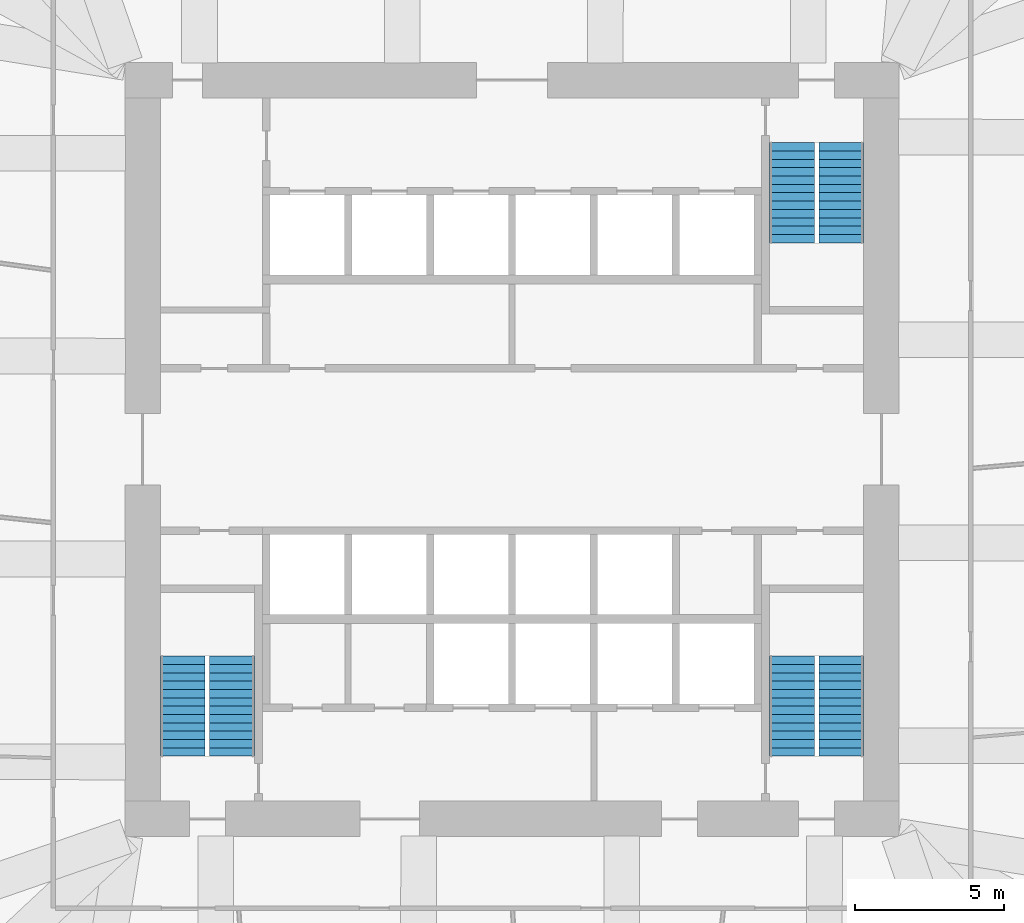
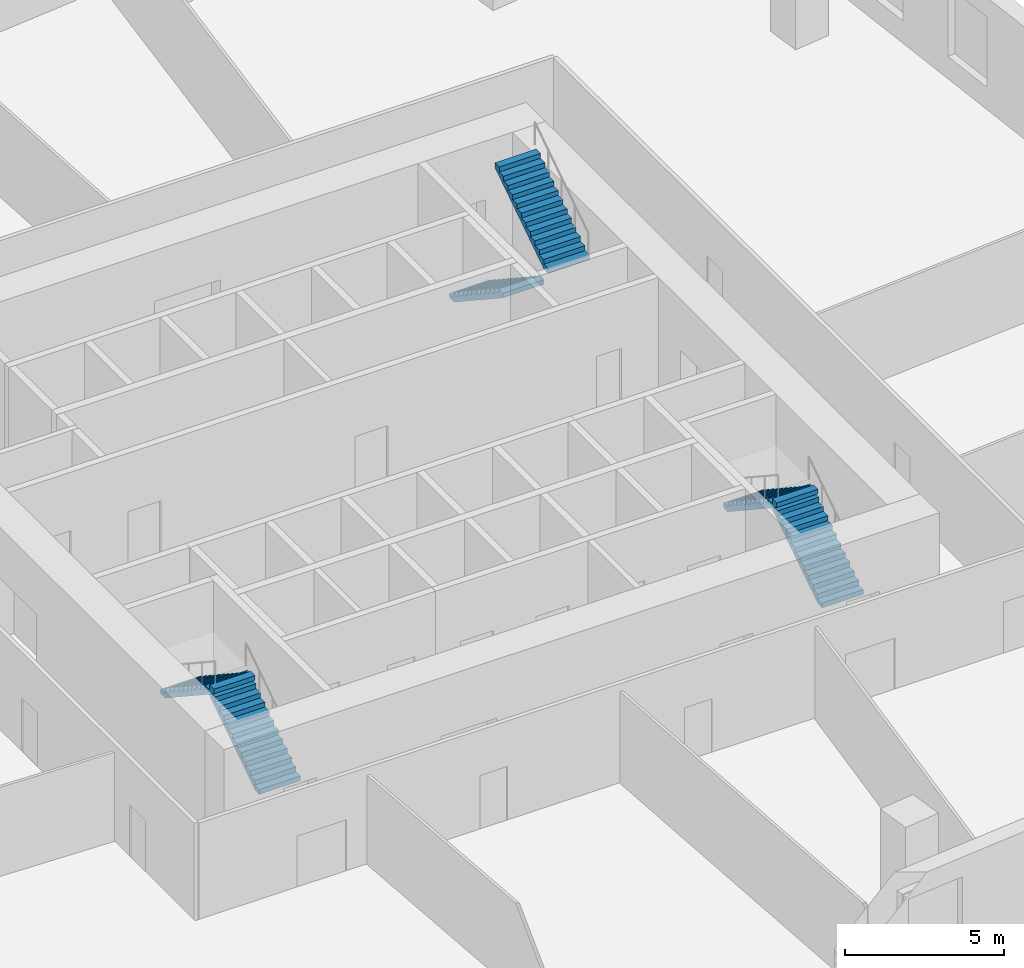
# One storey, part 8 of 10: 6 stair flights, 3 elements without a shape of their own.
"""IFC4 building model written with IfcOpenShell, lengths in metres."""

from ifc_helpers import new_model, si_unit, direction, frame, origin, place, context, subcontext, project, spatial, polyline, outline, extrude, material, type_object, element, aggregate, save


model = new_model("IFC4")

# Units and contexts
model_context = context("Model", 3, precision=1e-05, world=origin(), true_north=direction((0.0, 1.0)))
body_context = subcontext(model_context, "Body", "Model", "MODEL_VIEW")
ifc_project = project(units=[si_unit("LENGTHUNIT", "METRE"), si_unit("AREAUNIT", "SQUARE_METRE"), si_unit("VOLUMEUNIT", "CUBIC_METRE"), si_unit("PLANEANGLEUNIT", "RADIAN"), si_unit("MASSUNIT", "GRAM", prefix="KILO")], contexts=[model_context])

# Site, building, storey
site_placement = place(None, origin())
site = spatial("IfcSite", under=ifc_project, at=site_placement, CompositionType="ELEMENT")
building_placement = place(site_placement, origin())
building = spatial("IfcBuilding", under=site, at=building_placement, Name="Dilmun Exchange Tower", CompositionType="ELEMENT")
storey_placement = place(building_placement, frame((0.0, 0.0, 46.5)))
storey = spatial("IfcBuildingStorey", under=building, at=storey_placement, Name="L10", CompositionType="ELEMENT", Elevation=46.5)

# Stair, stair flights
ifc_material = material(Name="Concrete C40/50", Category="concrete")
stair_type = type_object("IfcStairType", Name="Exit stair 1500 half-turn", PredefinedType="HALF_TURN_STAIR", material=ifc_material)
stair_1_placement = place(storey_placement, origin())
stair_1 = element("IfcStair", 1, at=stair_1_placement, inside=storey, type_object=stair_type, Name="L10 Protected exit stair ST1", PredefinedType="HALF_TURN_STAIR")
stair_flight_type = type_object("IfcStairFlightType", Name="Exit stair flight 1500", PredefinedType="STRAIGHT", material=ifc_material)
stair_flight_1_placement = place(storey_placement, frame((9.39990234375, 10.300048828125, 0.0), z_axis=(0.0, 0.0, 1.0), x_axis=(0.0, -1.0, 0.0)))
stair_flight_1 = element("IfcStairFlight", 2, at=stair_flight_1_placement, type_object=stair_flight_type, Name="ST1 flight 1", NumberOfRisers=13, NumberOfTreads=12, PredefinedType="STRAIGHT", RiserHeight=0.184615385, TreadLength=0.28, context=body_context, shape_type="SweptSolid", body=[
    extrude(outline(polyline([(0.0, 0.0), (0.0, 0.1845703125), (0.280029296875, 0.1845703125), (0.280029296875, 0.369140625), (0.56005859375, 0.369140625), (0.56005859375, 0.553955078125), (0.840087890625, 0.553955078125), (0.840087890625, 0.738525390625), (1.1201171875, 0.738525390625), (1.1201171875, 0.923095703125), (1.39990234375, 0.923095703125), (1.39990234375, 1.107666015625), (1.679931640625, 1.107666015625), (1.679931640625, 1.292236328125), (1.9599609375, 1.292236328125), (1.9599609375, 1.476806640625), (2.239990234375, 1.476806640625), (2.239990234375, 1.66162109375), (2.52001953125, 1.66162109375), (2.52001953125, 1.84619140625), (2.800048828125, 1.84619140625), (2.800048828125, 2.03076171875), (3.080078125, 2.03076171875), (3.080078125, 2.21533203125), (3.360107421875, 2.21533203125), (3.360107421875, 2.39990234375), (3.360107421875, 2.035888671875), (0.272216796875, 0.0), (0.0, 0.0)])), frame((0.0, 0.75, 0.0), z_axis=(0.0, -1.0, 0.0), x_axis=(1.0, 0.0, 0.0)), (0.0, 0.0, 1.0), 1.5),
])
stair_flight_2_placement = place(storey_placement, frame((11.050048828125, 6.93994140625, 2.39990234375), z_axis=(0.0, 0.0, 1.0), x_axis=(0.0, 1.0, 0.0)))
stair_flight_2 = element("IfcStairFlight", 3, at=stair_flight_2_placement, type_object=stair_flight_type, Name="ST1 flight 2", NumberOfRisers=13, NumberOfTreads=12, PredefinedType="STRAIGHT", RiserHeight=0.184615385, TreadLength=0.28, context=body_context, shape_type="SweptSolid", body=[
    extrude(outline(polyline([(0.0, 0.0), (0.0, 0.1845703125), (0.280029296875, 0.1845703125), (0.280029296875, 0.369140625), (0.56005859375, 0.369140625), (0.56005859375, 0.553955078125), (0.840087890625, 0.553955078125), (0.840087890625, 0.738525390625), (1.1201171875, 0.738525390625), (1.1201171875, 0.923095703125), (1.39990234375, 0.923095703125), (1.39990234375, 1.107666015625), (1.679931640625, 1.107666015625), (1.679931640625, 1.292236328125), (1.9599609375, 1.292236328125), (1.9599609375, 1.476806640625), (2.239990234375, 1.476806640625), (2.239990234375, 1.66162109375), (2.52001953125, 1.66162109375), (2.52001953125, 1.84619140625), (2.800048828125, 1.84619140625), (2.800048828125, 2.03076171875), (3.080078125, 2.03076171875), (3.080078125, 2.21533203125), (3.360107421875, 2.21533203125), (3.360107421875, 2.39990234375), (3.360107421875, 2.035888671875), (0.272216796875, 0.0), (0.0, 0.0)])), frame((0.0, 0.75, 0.0), z_axis=(0.0, -1.0, 0.0), x_axis=(1.0, 0.0, 0.0)), (0.0, 0.0, 1.0), 1.5),
])
aggregate(stair_1, [stair_flight_1, stair_flight_2])

stair_2_placement = place(storey_placement, origin())
stair_2 = element("IfcStair", 4, at=stair_2_placement, inside=storey, type_object=stair_type, Name="L10 Protected exit stair ST2", PredefinedType="HALF_TURN_STAIR")
stair_flight_3_placement = place(storey_placement, frame((-9.39990234375, -10.300048828125, 0.0), z_axis=(0.0, 0.0, 1.0), x_axis=(0.0, 1.0, 0.0)))
stair_flight_3 = element("IfcStairFlight", 5, at=stair_flight_3_placement, type_object=stair_flight_type, Name="ST2 flight 1", NumberOfRisers=13, NumberOfTreads=12, PredefinedType="STRAIGHT", RiserHeight=0.184615385, TreadLength=0.28, context=body_context, shape_type="SweptSolid", body=[
    extrude(outline(polyline([(0.0, 0.0), (0.0, 0.1845703125), (0.280029296875, 0.1845703125), (0.280029296875, 0.369140625), (0.56005859375, 0.369140625), (0.56005859375, 0.553955078125), (0.840087890625, 0.553955078125), (0.840087890625, 0.738525390625), (1.1201171875, 0.738525390625), (1.1201171875, 0.923095703125), (1.39990234375, 0.923095703125), (1.39990234375, 1.107666015625), (1.679931640625, 1.107666015625), (1.679931640625, 1.292236328125), (1.9599609375, 1.292236328125), (1.9599609375, 1.476806640625), (2.239990234375, 1.476806640625), (2.239990234375, 1.66162109375), (2.52001953125, 1.66162109375), (2.52001953125, 1.84619140625), (2.800048828125, 1.84619140625), (2.800048828125, 2.03076171875), (3.080078125, 2.03076171875), (3.080078125, 2.21533203125), (3.360107421875, 2.21533203125), (3.360107421875, 2.39990234375), (3.360107421875, 2.035888671875), (0.272216796875, 0.0), (0.0, 0.0)])), frame((0.0, 0.75, 0.0), z_axis=(0.0, -1.0, 0.0), x_axis=(1.0, 0.0, 0.0)), (0.0, 0.0, 1.0), 1.5),
])
stair_flight_4_placement = place(storey_placement, frame((-11.050048828125, -6.93994140625, 2.39990234375), z_axis=(0.0, 0.0, 1.0), x_axis=(0.0, -1.0, 0.0)))
stair_flight_4 = element("IfcStairFlight", 6, at=stair_flight_4_placement, type_object=stair_flight_type, Name="ST2 flight 2", NumberOfRisers=13, NumberOfTreads=12, PredefinedType="STRAIGHT", RiserHeight=0.184615385, TreadLength=0.28, context=body_context, shape_type="SweptSolid", body=[
    extrude(outline(polyline([(0.0, 0.0), (0.0, 0.1845703125), (0.280029296875, 0.1845703125), (0.280029296875, 0.369140625), (0.56005859375, 0.369140625), (0.56005859375, 0.553955078125), (0.840087890625, 0.553955078125), (0.840087890625, 0.738525390625), (1.1201171875, 0.738525390625), (1.1201171875, 0.923095703125), (1.39990234375, 0.923095703125), (1.39990234375, 1.107666015625), (1.679931640625, 1.107666015625), (1.679931640625, 1.292236328125), (1.9599609375, 1.292236328125), (1.9599609375, 1.476806640625), (2.239990234375, 1.476806640625), (2.239990234375, 1.66162109375), (2.52001953125, 1.66162109375), (2.52001953125, 1.84619140625), (2.800048828125, 1.84619140625), (2.800048828125, 2.03076171875), (3.080078125, 2.03076171875), (3.080078125, 2.21533203125), (3.360107421875, 2.21533203125), (3.360107421875, 2.39990234375), (3.360107421875, 2.035888671875), (0.272216796875, 0.0), (0.0, 0.0)])), frame((0.0, 0.75, 0.0), z_axis=(0.0, -1.0, 0.0), x_axis=(1.0, 0.0, 0.0)), (0.0, 0.0, 1.0), 1.5),
])
aggregate(stair_2, [stair_flight_3, stair_flight_4])

stair_3_placement = place(storey_placement, origin())
stair_3 = element("IfcStair", 7, at=stair_3_placement, inside=storey, type_object=stair_type, Name="L10 Protected exit stair ST3", PredefinedType="HALF_TURN_STAIR")
stair_flight_5_placement = place(storey_placement, frame((11.050048828125, -10.300048828125, 0.0), z_axis=(0.0, 0.0, 1.0), x_axis=(0.0, 1.0, 0.0)))
stair_flight_5 = element("IfcStairFlight", 8, at=stair_flight_5_placement, type_object=stair_flight_type, Name="ST3 flight 1", NumberOfRisers=13, NumberOfTreads=12, PredefinedType="STRAIGHT", RiserHeight=0.184615385, TreadLength=0.28, context=body_context, shape_type="SweptSolid", body=[
    extrude(outline(polyline([(0.0, 0.0), (0.0, 0.1845703125), (0.280029296875, 0.1845703125), (0.280029296875, 0.369140625), (0.56005859375, 0.369140625), (0.56005859375, 0.553955078125), (0.840087890625, 0.553955078125), (0.840087890625, 0.738525390625), (1.1201171875, 0.738525390625), (1.1201171875, 0.923095703125), (1.39990234375, 0.923095703125), (1.39990234375, 1.107666015625), (1.679931640625, 1.107666015625), (1.679931640625, 1.292236328125), (1.9599609375, 1.292236328125), (1.9599609375, 1.476806640625), (2.239990234375, 1.476806640625), (2.239990234375, 1.66162109375), (2.52001953125, 1.66162109375), (2.52001953125, 1.84619140625), (2.800048828125, 1.84619140625), (2.800048828125, 2.03076171875), (3.080078125, 2.03076171875), (3.080078125, 2.21533203125), (3.360107421875, 2.21533203125), (3.360107421875, 2.39990234375), (3.360107421875, 2.035888671875), (0.272216796875, 0.0), (0.0, 0.0)])), frame((0.0, 0.75, 0.0), z_axis=(0.0, -1.0, 0.0), x_axis=(1.0, 0.0, 0.0)), (0.0, 0.0, 1.0), 1.5),
])
stair_flight_6_placement = place(storey_placement, frame((9.39990234375, -6.93994140625, 2.39990234375), z_axis=(0.0, 0.0, 1.0), x_axis=(0.0, -1.0, 0.0)))
stair_flight_6 = element("IfcStairFlight", 9, at=stair_flight_6_placement, type_object=stair_flight_type, Name="ST3 flight 2", NumberOfRisers=13, NumberOfTreads=12, PredefinedType="STRAIGHT", RiserHeight=0.184615385, TreadLength=0.28, context=body_context, shape_type="SweptSolid", body=[
    extrude(outline(polyline([(0.0, 0.0), (0.0, 0.1845703125), (0.280029296875, 0.1845703125), (0.280029296875, 0.369140625), (0.56005859375, 0.369140625), (0.56005859375, 0.553955078125), (0.840087890625, 0.553955078125), (0.840087890625, 0.738525390625), (1.1201171875, 0.738525390625), (1.1201171875, 0.923095703125), (1.39990234375, 0.923095703125), (1.39990234375, 1.107666015625), (1.679931640625, 1.107666015625), (1.679931640625, 1.292236328125), (1.9599609375, 1.292236328125), (1.9599609375, 1.476806640625), (2.239990234375, 1.476806640625), (2.239990234375, 1.66162109375), (2.52001953125, 1.66162109375), (2.52001953125, 1.84619140625), (2.800048828125, 1.84619140625), (2.800048828125, 2.03076171875), (3.080078125, 2.03076171875), (3.080078125, 2.21533203125), (3.360107421875, 2.21533203125), (3.360107421875, 2.39990234375), (3.360107421875, 2.035888671875), (0.272216796875, 0.0), (0.0, 0.0)])), frame((0.0, 0.75, 0.0), z_axis=(0.0, -1.0, 0.0), x_axis=(1.0, 0.0, 0.0)), (0.0, 0.0, 1.0), 1.5),
])
aggregate(stair_3, [stair_flight_5, stair_flight_6])

save(model, "model.ifc")
